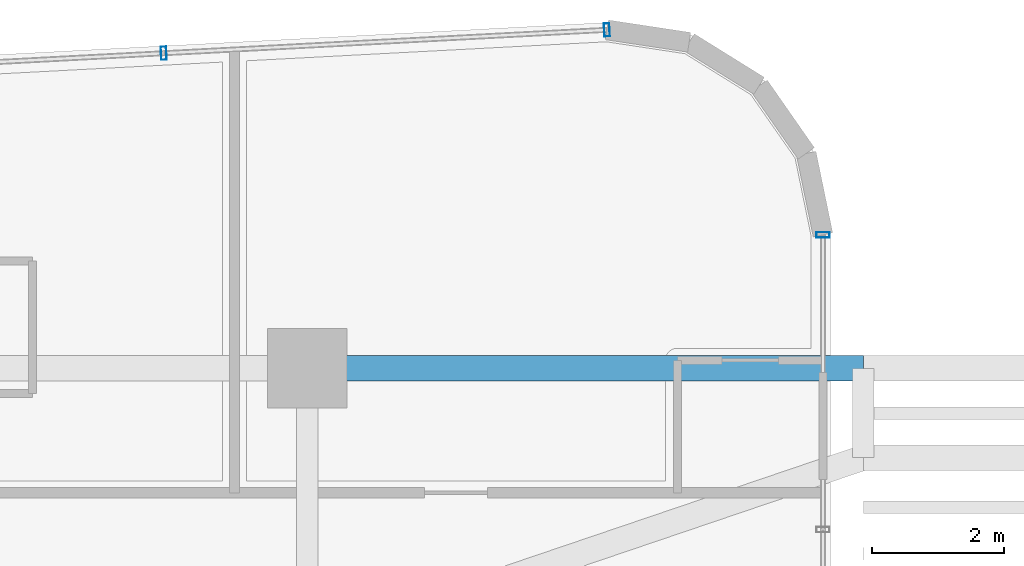
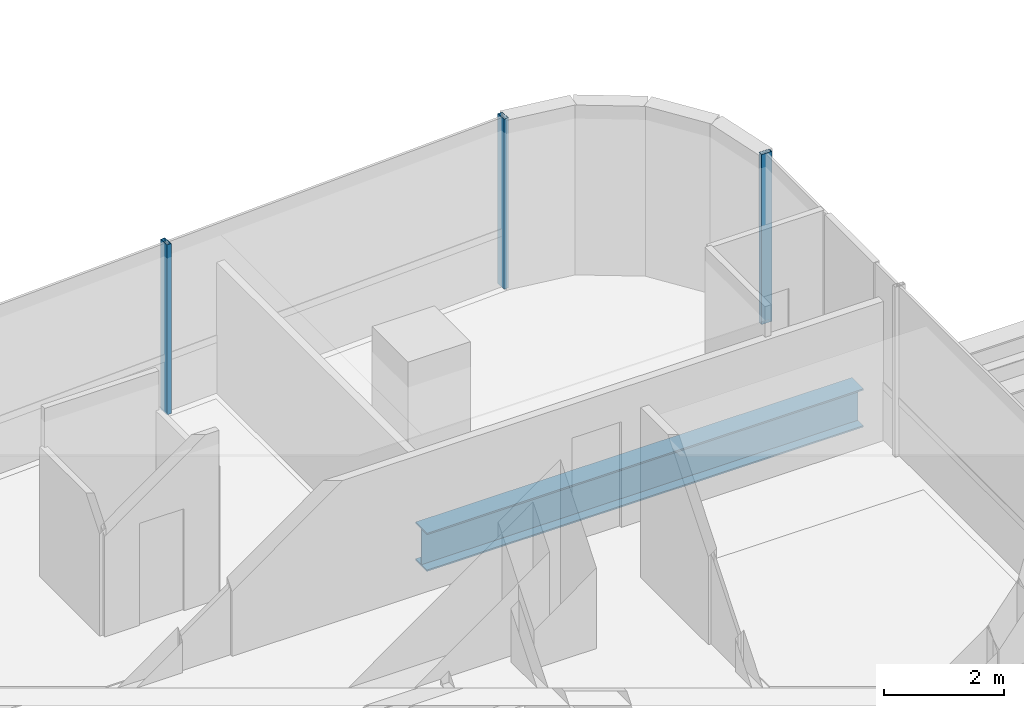
# One storey, part 23 of 36: 3 members, 1 beam, 2 elements without a shape of their own.
"""IFC4 building model written with IfcOpenShell, lengths in metres."""

import ifcopenshell
import ifcopenshell.guid

model = None  # the IFC model being written
_history = None  # IfcOwnerHistory: only IFC2X3 demands one
_inside = {}  # id of a spatial element -> (the spatial element, [elements in it])
_under = {}  # id of a project, library or spatial element -> (it, [spatial elements below it])
_declared = {}  # id of a project -> (the project, [libraries it declares])
_typed = {}  # id of a type object -> (the type object, [elements of that type])
_made_of = {}  # id of a material, layer set ... -> (it, [elements and type objects made of it])


def new_model(schema):
    """Start an empty IFC model of exactly this schema.

    Asked for "IFC4X3", IfcOpenShell would pick the latest addendum, in which some entities
    have other attributes; the version numbers below select the first issue.
    IFC2X3 requires an IfcOwnerHistory on every rooted entity: one is made here for all.
    """
    global model, _history
    if schema == "IFC4X3":
        model = ifcopenshell.file(schema_version=(4, 3, 0, 0))
    else:
        model = ifcopenshell.file(schema=schema)
    _inside.clear()
    _under.clear()
    _declared.clear()
    _typed.clear()
    _made_of.clear()
    _history = None
    if model.schema == "IFC2X3":
        org = make("IfcOrganization", Name="unknown")
        user = make(
            "IfcPersonAndOrganization",
            ThePerson=make("IfcPerson", FamilyName="unknown"),
            TheOrganization=org,
        )
        app = make(
            "IfcApplication",
            ApplicationDeveloper=org,
            Version="unknown",
            ApplicationFullName="unknown",
            ApplicationIdentifier="unknown",
        )
        _history = make(
            "IfcOwnerHistory",
            OwningUser=user,
            OwningApplication=app,
            ChangeAction="ADDED",
            CreationDate=0,
        )
    return model


def make(cls, **values):
    """One entity of the class cls with the attributes given. An attribute that is None is left unset."""
    return model.create_entity(
        cls, **{name: value for name, value in values.items() if value is not None}
    )


def rooted(cls, **values):
    """An entity with a GlobalId (a new one), such as an element, a storey or a relation."""
    return make(cls, GlobalId=ifcopenshell.guid.new(), OwnerHistory=_history, **values)


def si_unit(unit_type, name, prefix=None):
    """IfcSIUnit, for example si_unit("LENGTHUNIT", "METRE", prefix="MILLI")."""
    return make("IfcSIUnit", UnitType=unit_type, Prefix=prefix, Name=name)


def assignment(units):
    """IfcUnitAssignment: the units of a project."""
    return None if units is None else make("IfcUnitAssignment", Units=units)


def point(xyz):
    """IfcCartesianPoint."""
    return None if xyz is None else make("IfcCartesianPoint", Coordinates=xyz)


def direction(xyz):
    """IfcDirection."""
    return None if xyz is None else make("IfcDirection", DirectionRatios=xyz)


def frame(location, z_axis=None, x_axis=None):
    """IfcAxis2Placement3D, a coordinate frame: its origin and axes. An axis left out is left unset."""
    return make(
        "IfcAxis2Placement3D",
        Location=point(location),
        Axis=direction(z_axis),
        RefDirection=direction(x_axis),
    )


def frame_2d(location, x_axis=None):
    """IfcAxis2Placement2D, a coordinate frame in the plane: its origin and x axis."""
    return make(
        "IfcAxis2Placement2D", Location=point(location), RefDirection=direction(x_axis)
    )


def origin():
    """The frame at (0, 0, 0) with its axes left unset."""
    return frame((0.0, 0.0, 0.0))


def origin_2d():
    """The frame at (0, 0) in the plane with its x axis left unset."""
    return frame_2d((0.0, 0.0))


def place(relative_to, where):
    """IfcLocalPlacement: puts the frame where relative to a parent placement (None: the world)."""
    return make(
        "IfcLocalPlacement", PlacementRelTo=relative_to, RelativePlacement=where
    )


def context(
    kind, dimensions, precision=None, world=None, true_north=None, identifier=None
):
    """IfcGeometricRepresentationContext, for example the 3D "Model" context."""
    return make(
        "IfcGeometricRepresentationContext",
        ContextIdentifier=identifier,
        ContextType=kind,
        CoordinateSpaceDimension=dimensions,
        Precision=precision,
        WorldCoordinateSystem=world,
        TrueNorth=true_north,
    )


def subcontext(parent, identifier, kind, view, scale=None):
    """IfcGeometricRepresentationSubContext, for example "Body" below "Model"."""
    return make(
        "IfcGeometricRepresentationSubContext",
        ContextIdentifier=identifier,
        ContextType=kind,
        ParentContext=parent,
        TargetScale=scale,
        TargetView=view,
    )


def project(units=None, contexts=None):
    """IfcProject with its units and contexts."""
    return rooted(
        "IfcProject",
        Name="project",
        RepresentationContexts=contexts,
        UnitsInContext=assignment(units),
    )


def spatial(cls, under=None, at=None, **own):
    """A site, building, storey or space (cls), placed at a placement, below another one or the project."""
    s = rooted(cls, ObjectPlacement=at, **own)
    if under is not None:
        _under.setdefault(under.id(), (under, []))[1].append(s)
    return s


def profile(cls, at=None, kind="AREA", **sizes):
    """A parametric profile (cls). Its sizes go by their IFC names, for example OverallWidth=200.0."""
    return make(cls, ProfileType=kind, Position=at, **sizes)


def hollow_rectangle(**sizes):
    """IfcRectangleHollowProfileDef."""
    return profile("IfcRectangleHollowProfileDef", **sizes)


def i_section(**sizes):
    """IfcIShapeProfileDef."""
    return profile("IfcIShapeProfileDef", **sizes)


def extrude(swept, where, along, depth):
    """IfcExtrudedAreaSolid: the profile swept, set in the frame where, extruded along a direction by depth."""
    return make(
        "IfcExtrudedAreaSolid",
        SweptArea=swept,
        Position=where,
        ExtrudedDirection=direction(along),
        Depth=depth,
    )


def shape(context_of_items, identifier, shape_type, items):
    """IfcShapeRepresentation: the items that make up one representation, for example the "Body"."""
    return make(
        "IfcShapeRepresentation",
        ContextOfItems=context_of_items,
        RepresentationIdentifier=identifier,
        RepresentationType=shape_type,
        Items=items,
    )


def source(mapping_origin, context_of_items, identifier, shape_type, items):
    """IfcRepresentationMap: a shape defined once, which mapped items show again and again."""
    return make(
        "IfcRepresentationMap",
        MappingOrigin=mapping_origin,
        MappedRepresentation=shape(context_of_items, identifier, shape_type, items),
    )


def transform(
    local_origin,
    x_axis=None,
    y_axis=None,
    z_axis=None,
    scale=None,
    scale2=None,
    scale3=None,
    uniform=True,
):
    """IfcCartesianTransformationOperator3D, or its non-uniform kind. x_axis, y_axis, z_axis: its Axis1, 2, 3."""
    if uniform:
        return make(
            "IfcCartesianTransformationOperator3D",
            Axis1=direction(x_axis),
            Axis2=direction(y_axis),
            LocalOrigin=point(local_origin),
            Scale=scale,
            Axis3=direction(z_axis),
        )
    return make(
        "IfcCartesianTransformationOperator3DnonUniform",
        Axis1=direction(x_axis),
        Axis2=direction(y_axis),
        LocalOrigin=point(local_origin),
        Scale=scale,
        Axis3=direction(z_axis),
        Scale2=scale2,
        Scale3=scale3,
    )


def mapped(mapping_source, mapping_target):
    """IfcMappedItem: shows the shape of a source again, moved by a transform."""
    return make(
        "IfcMappedItem", MappingSource=mapping_source, MappingTarget=mapping_target
    )


def material(Name=None, Category=None):
    """IfcMaterial."""
    return make("IfcMaterial", Name=Name, Category=Category)


def material_profile(
    of_material, cross_section, Name=None, Category=None, Priority=None
):
    """IfcMaterialProfile: a cross section and its material."""
    return make(
        "IfcMaterialProfile",
        Name=Name,
        Material=of_material,
        Profile=cross_section,
        Priority=Priority,
        Category=Category,
    )


def profile_set(profiles, Name=None, composite=None):
    """IfcMaterialProfileSet."""
    return make(
        "IfcMaterialProfileSet",
        Name=Name,
        MaterialProfiles=profiles,
        CompositeProfile=composite,
    )


def made_of(thing, what):
    """Note that an element or type object is made of a material, layer set ...; save() writes the relation."""
    if what is not None:
        _made_of.setdefault(what.id(), (what, []))[1].append(thing)
    return thing


def type_object(cls, material=None, **own):
    """A type object (cls), such as IfcWallType, which elements share."""
    return made_of(rooted(cls, **own), material)


def element(
    cls,
    number,
    at=None,
    inside=None,
    cuts=None,
    type_object=None,
    material=None,
    context=None,
    identifier="Body",
    shape_type=None,
    held_by="IfcProductDefinitionShape",
    body=None,
    shapes=None,
    **own,
):
    """One element of the class cls, such as IfcWall. Its Tag is "e" and its number.

    at: its placement. inside: the storey or other place that contains it. cuts: it is an
    opening in that element (IfcRelVoidsElement). A single representation is given by context,
    identifier, shape_type and body (its items); several are given by shapes. held_by: the class
    of the entity that holds the representations. save() writes the other relations.
    """
    e = rooted(cls, Tag="e%d" % number, ObjectPlacement=at, **own)
    if body is not None:
        shapes = [shape(context, identifier, shape_type, body)]
    if shapes is not None:
        e.Representation = make(held_by, Representations=shapes)
    if inside is not None:
        _inside.setdefault(inside.id(), (inside, []))[1].append(e)
    if cuts is not None:
        rooted(
            "IfcRelVoidsElement", RelatingBuildingElement=cuts, RelatedOpeningElement=e
        )
    if type_object is not None:
        _typed.setdefault(type_object.id(), (type_object, []))[1].append(e)
    return made_of(e, material)


def aggregate(whole, parts):
    """IfcRelAggregates: a whole, such as a stair, and the parts it consists of."""
    return rooted("IfcRelAggregates", RelatingObject=whole, RelatedObjects=parts)


def save(model, path):
    """Write the relations noted so far, then the file.

    IfcRelAggregates (storeys below a building ...), IfcRelContainedInSpatialStructure (elements
    in a storey), IfcRelDefinesByType, IfcRelAssociatesMaterial and IfcRelDeclares: one each for
    every whole, place, type object, material and project.
    """
    for whole, parts in _under.values():
        aggregate(whole, parts)
    for where, things in _inside.values():
        rooted(
            "IfcRelContainedInSpatialStructure",
            RelatedElements=things,
            RelatingStructure=where,
        )
    for kind, things in _typed.values():
        rooted("IfcRelDefinesByType", RelatedObjects=things, RelatingType=kind)
    for what, things in _made_of.values():
        rooted("IfcRelAssociatesMaterial", RelatedObjects=things, RelatingMaterial=what)
    for by, libraries in _declared.values():
        rooted("IfcRelDeclares", RelatingContext=by, RelatedDefinitions=libraries)
    model.write(path)


model = new_model("IFC4")

# Units and contexts
model_context = context("Model", 3, precision=1e-05, world=origin(), true_north=direction((0.0, 1.0)))
body_context = subcontext(model_context, "Body", "Model", "MODEL_VIEW")
ifc_project = project(units=[si_unit("LENGTHUNIT", "METRE"), si_unit("AREAUNIT", "SQUARE_METRE"), si_unit("VOLUMEUNIT", "CUBIC_METRE"), si_unit("PLANEANGLEUNIT", "RADIAN"), si_unit("MASSUNIT", "GRAM", prefix="KILO")], contexts=[model_context])

# Site, building, storey
site_placement = place(None, origin())
site = spatial("IfcSite", under=ifc_project, at=site_placement, CompositionType="ELEMENT")
building_placement = place(site_placement, origin())
building = spatial("IfcBuilding", under=site, at=building_placement, Name="Valdorenza Pilgrim Sanctuary Tower", CompositionType="ELEMENT")
storey_placement = place(building_placement, frame((0.0, 0.0, 153.800048828125)))
storey = spatial("IfcBuildingStorey", under=building, at=storey_placement, Name="L39", CompositionType="ELEMENT", Elevation=153.800048828125)

# Beam
ifc_material_1 = material(Name="Steel ASTM A992 Grade 50", Category="steel")
ifc_material_profile_1 = material_profile(ifc_material_1, i_section(OverallWidth=0.382080078125, OverallDepth=0.779052734375, WebThickness=0.01806640625, FlangeThickness=0.030029296875, at=origin_2d()), Name="W30X191")
ifc_profile_set_1 = profile_set([ifc_material_profile_1], Name="Steel ASTM A992 Grade 50")
beam_type = type_object("IfcBeamType", Name="STR-BM-GRD-W30", PredefinedType="BEAM", material=ifc_profile_set_1)
shared_shape_1 = source(origin(), body_context, "Body", "SweptSolid", [
    extrude(i_section(OverallWidth=0.382080078125, OverallDepth=0.779052734375, WebThickness=0.01806640625, FlangeThickness=0.030029296875, at=origin_2d()), origin(), (0.0, 0.0, 1.0), 8.39990234375),
])
beam_placement = place(storey_placement, frame((-12.39990234375, 14.800048828125, -0.629638671875), z_axis=(1.0, 0.0, 0.0), x_axis=(0.0, 1.0, 0.0)))
element("IfcBeam", 1, at=beam_placement, inside=storey, type_object=beam_type, Name="L39 Floor Girder KNK-G4", PredefinedType="BEAM", context=body_context, shape_type="MappedRepresentation", body=[
    mapped(shared_shape_1, transform((0.0, 0.0, 0.0), x_axis=(1.0, 0.0, 0.0), y_axis=(0.0, 1.0, 0.0), z_axis=(0.0, 0.0, 1.0), scale=1.0)),
])

# Curtain wall, members
ifc_material_2 = material(Name="Curtain-wall IGU glazing", Category="glass")
curtain_wall_type = type_object("IfcCurtainWallType", Name="CW-SYS-02", PredefinedType="NOTDEFINED", material=ifc_material_2)
curtain_wall_1_placement = place(storey_placement, origin())
curtain_wall_1 = element("IfcCurtainWall", 2, at=curtain_wall_1_placement, inside=storey, type_object=curtain_wall_type, Name="L39 Curtain Wall CW-L39-1-6", PredefinedType="NOTDEFINED")
ifc_material_3 = material(Name="Anodised aluminium AW-6060", Category="aluminium")
ifc_material_profile_2 = material_profile(ifc_material_3, hollow_rectangle(XDim=0.0849609375, YDim=0.199951171875, WallThickness=0.0048828125, at=origin_2d()), Name="ALU-M 200x85x5")
ifc_profile_set_2 = profile_set([ifc_material_profile_2], Name="Anodised aluminium AW-6060")
member_type = type_object("IfcMemberType", Name="CW-MUL-02", PredefinedType="MULLION", material=ifc_profile_set_2)
shared_shape_2 = source(origin(), body_context, "Body", "SweptSolid", [
    extrude(hollow_rectangle(XDim=0.0849609375, YDim=0.199951171875, WallThickness=0.0048828125, at=origin_2d()), origin(), (0.0, 0.0, 1.0), 3.4599609375),
])
member_1_placement = place(storey_placement, frame((-14.56689453125, 19.55810546875, 0.0), z_axis=(0.0, 0.0, 1.0), x_axis=(0.998607524712, 0.052754256601, 0.0)))
member_1 = element("IfcMember", 3, at=member_1_placement, type_object=member_type, Name="CW-L39-1-6 Mullion 3", PredefinedType="MULLION", context=body_context, shape_type="MappedRepresentation", body=[
    mapped(shared_shape_2, transform((0.0, 0.0, 0.0), x_axis=(1.0, 0.0, 0.0), y_axis=(0.0, 1.0, 0.0), z_axis=(0.0, 0.0, 1.0), scale=1.0)),
])
member_2_placement = place(storey_placement, frame((-7.874267578125, 19.91162109375, 0.0), z_axis=(0.0, 0.0, 1.0), x_axis=(0.998607524712, 0.052754256601, 0.0)))
member_2 = element("IfcMember", 4, at=member_2_placement, type_object=member_type, Name="CW-L39-1-6 Mullion 4", PredefinedType="MULLION", context=body_context, shape_type="MappedRepresentation", body=[
    mapped(shared_shape_2, transform((0.0, 0.0, 0.0), x_axis=(1.0, 0.0, 0.0), y_axis=(0.0, 1.0, 0.0), z_axis=(0.0, 0.0, 1.0), scale=1.0)),
])
aggregate(curtain_wall_1, [member_1, member_2])

# Curtain wall, member
curtain_wall_2_placement = place(storey_placement, origin())
curtain_wall_2 = element("IfcCurtainWall", 5, at=curtain_wall_2_placement, inside=storey, type_object=curtain_wall_type, Name="L39 Curtain Wall CW-L39-1-11", PredefinedType="NOTDEFINED")
member_3_placement = place(storey_placement, frame((-4.610107421875, 16.815185546875, 0.0), z_axis=(0.0, 0.0, 1.0), x_axis=(0.0, -1.0, 0.0)))
member_3 = element("IfcMember", 6, at=member_3_placement, type_object=member_type, Name="CW-L39-1-11 Mullion 1", PredefinedType="MULLION", context=body_context, shape_type="MappedRepresentation", body=[
    mapped(shared_shape_2, transform((0.0, 0.0, 0.0), x_axis=(1.0, 0.0, 0.0), y_axis=(0.0, 1.0, 0.0), z_axis=(0.0, 0.0, 1.0), scale=1.0)),
])
aggregate(curtain_wall_2, [member_3])

save(model, "model.ifc")
